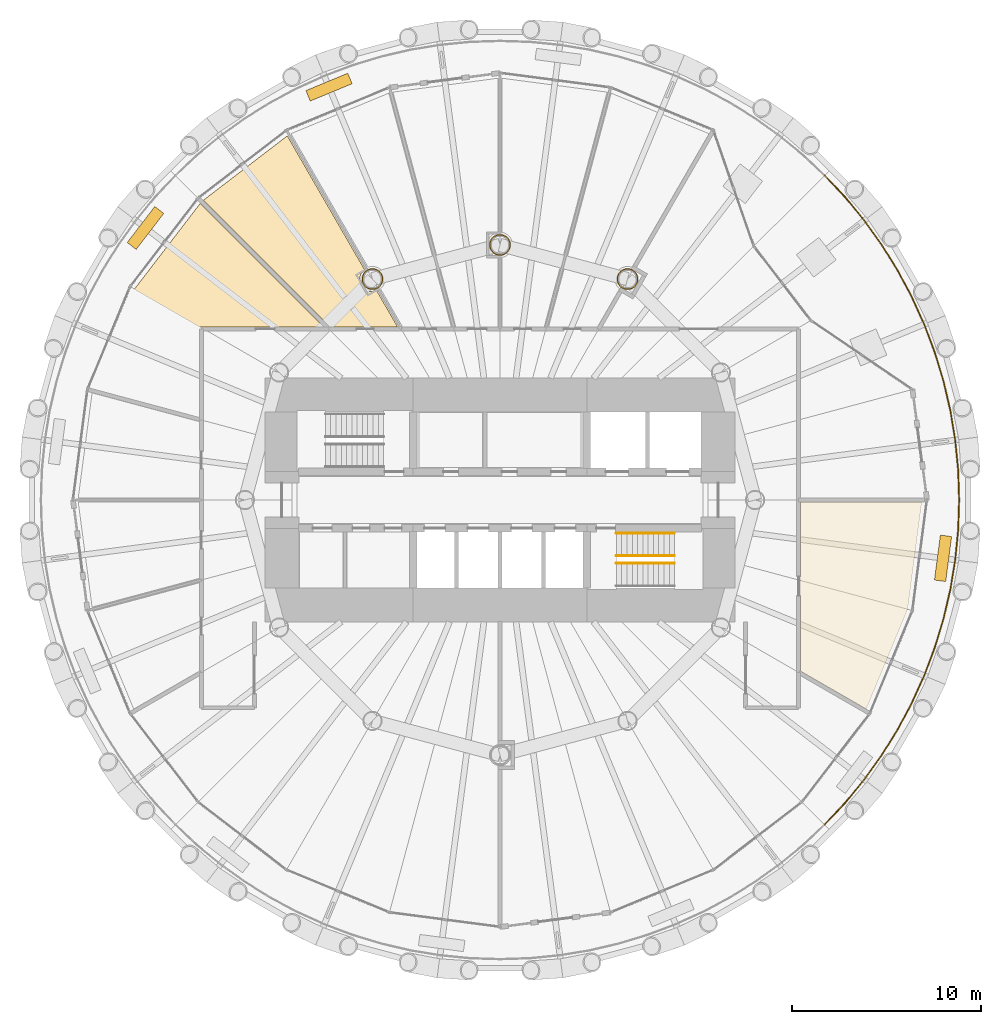
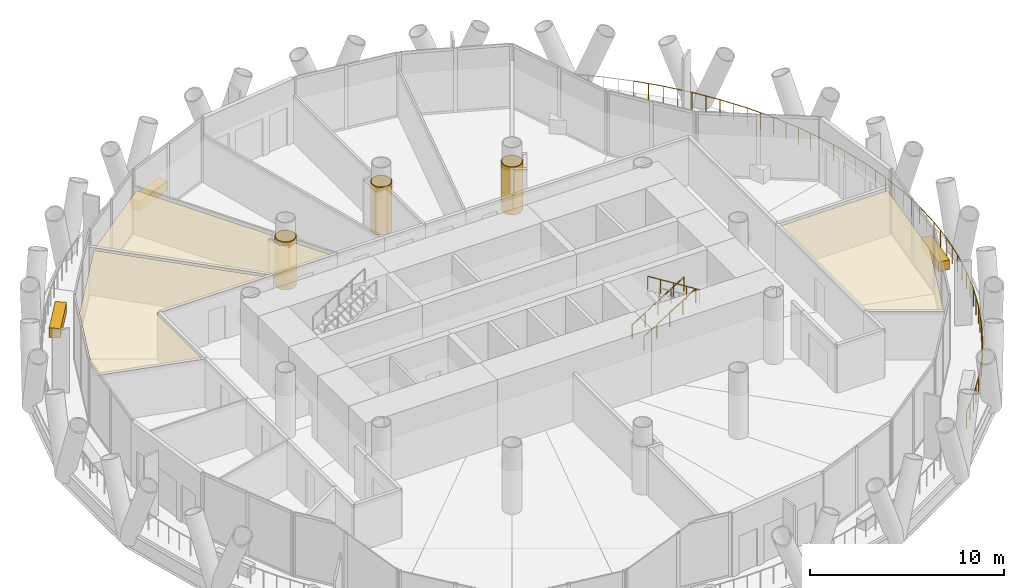
# One storey, part 15 of 16: 9 coverings, 4 railings.
"""IFC4 building model written with IfcOpenShell, lengths in metres."""

from ifc_helpers import new_model, si_unit, direction, frame, origin, origin_2d, place, context, subcontext, project, spatial, polyline, rectangle, circle, outline, extrude, material, layer, layer_set, type_object, element, save


model = new_model("IFC4")

# Units and contexts
model_context = context("Model", 3, precision=1e-05, world=origin(), true_north=direction((0.0, 1.0)))
body_context = subcontext(model_context, "Body", "Model", "MODEL_VIEW")
ifc_project = project(units=[si_unit("LENGTHUNIT", "METRE"), si_unit("AREAUNIT", "SQUARE_METRE"), si_unit("VOLUMEUNIT", "CUBIC_METRE"), si_unit("PLANEANGLEUNIT", "RADIAN"), si_unit("MASSUNIT", "GRAM", prefix="KILO")], contexts=[model_context])

# Site, building, storey
site_placement = place(None, origin())
site = spatial("IfcSite", under=ifc_project, at=site_placement, CompositionType="ELEMENT")
building_placement = place(site_placement, origin())
building = spatial("IfcBuilding", under=site, at=building_placement, Name="Qaws Media Tower", CompositionType="ELEMENT")
storey_placement = place(building_placement, frame((0.0, 0.0, 135.199951171875)))
storey = spatial("IfcBuildingStorey", under=building, at=storey_placement, Name="L30", CompositionType="ELEMENT", Elevation=135.199951171875)

# Railing
ifc_material_1 = material(Name="Stainless steel and glass guard", Category="steel")
railing_type_1 = type_object("IfcRailingType", Name="Balcony guard 1100", PredefinedType="GUARDRAIL", material=ifc_material_1)
railing_1_placement = place(storey_placement, frame((77.1826171875, 32.8173828125, 0.0)))
element("IfcRailing", 1, at=railing_1_placement, inside=storey, type_object=railing_type_1, Name="GR1 balcony guard L30-4", PredefinedType="GUARDRAIL", context=body_context, shape_type="SweptSolid", body=[
    extrude(circle(Radius=0.02392578125, at=origin_2d()), frame((0.0, 0.0, 1.076171875), z_axis=(0.683701050367, 0.729762203547, 0.0), x_axis=(-0.729762203547, 0.683701050367, 0.0)), (0.0, 0.0, 1.0), 1.590087890625),
    extrude(circle(Radius=0.02392578125, at=origin_2d()), frame((1.087158203125, 1.160400390625, 1.076171875), z_axis=(0.634382485148, 0.77301931576, 0.0), x_axis=(-0.77301931576, 0.634382485148, 0.0)), (0.0, 0.0, 1.0), 1.590087890625),
    extrude(circle(Radius=0.02392578125, at=origin_2d()), frame((2.095947265625, 2.3896484375, 1.076171875), z_axis=(0.582442870708, 0.812871639536, 0.0), x_axis=(-0.812871639536, 0.582442870708, 0.0)), (0.0, 0.0, 1.0), 1.59033203125),
    extrude(circle(Radius=0.02392578125, at=origin_2d()), frame((3.022216796875, 3.682373046875, 1.076171875), z_axis=(0.528023912354, 0.849229502539, 0.0), x_axis=(-0.849229502539, 0.528023912354, 0.0)), (0.0, 0.0, 1.0), 1.590087890625),
    extrude(circle(Radius=0.02392578125, at=origin_2d()), frame((3.86181640625, 5.03271484375, 1.076171875), z_axis=(0.471369035011, 0.881936070718, 0.0), x_axis=(-0.881936070718, 0.471369035011, 0.0)), (0.0, 0.0, 1.0), 1.590087890625),
    extrude(circle(Radius=0.02392578125, at=origin_2d()), frame((4.611328125, 6.43505859375, 1.076171875), z_axis=(0.412738339097, 0.910849638216, 0.0), x_axis=(-0.910849638216, 0.412738339097, 0.0)), (0.0, 0.0, 1.0), 1.590087890625),
    extrude(circle(Radius=0.02392578125, at=origin_2d()), frame((5.267578125, 7.88330078125, 1.076171875), z_axis=(0.352334504623, 0.935874135155, 0.0), x_axis=(-0.935874135155, 0.352334504623, 0.0)), (0.0, 0.0, 1.0), 1.59033203125),
    extrude(circle(Radius=0.02392578125, at=origin_2d()), frame((5.827880859375, 9.37158203125, 1.076171875), z_axis=(0.290177839706, 0.956972738036, 0.0), x_axis=(-0.956972738036, 0.290177839706, 0.0)), (0.0, 0.0, 1.0), 1.590087890625),
    extrude(circle(Radius=0.02392578125, at=origin_2d()), frame((6.289306640625, 10.893310546875, 1.076171875), z_axis=(0.227079151243, 0.973876305837, 0.0), x_axis=(-0.973876305837, 0.227079151243, 0.0)), (0.0, 0.0, 1.0), 1.590087890625),
    extrude(circle(Radius=0.02392578125, at=origin_2d()), frame((6.650390625, 12.44189453125, 1.076171875), z_axis=(0.162904905547, 0.986641774784, 0.0), x_axis=(-0.986641774784, 0.162904905547, 0.0)), (0.0, 0.0, 1.0), 1.590087890625),
    extrude(circle(Radius=0.02392578125, at=origin_2d()), frame((6.909423828125, 14.0107421875, 1.076171875), z_axis=(0.098105137251, 0.995176055804, 0.0), x_axis=(-0.995176055804, 0.098105137251, 0.0)), (0.0, 0.0, 1.0), 1.590087890625),
    extrude(circle(Radius=0.02392578125, at=origin_2d()), frame((7.0654296875, 15.59326171875, 1.076171875), z_axis=(0.032701394844, 0.999465166364, 0.0), x_axis=(-0.999465166364, 0.032701394844, 0.0)), (0.0, 0.0, 1.0), 1.590087890625),
    extrude(circle(Radius=0.02392578125, at=origin_2d()), frame((7.117431640625, 17.1826171875, 1.076171875), z_axis=(-0.032701394844, 0.999465166364, 0.0), x_axis=(-0.999465166364, -0.032701394844, 0.0)), (0.0, 0.0, 1.0), 1.590087890625),
    extrude(circle(Radius=0.02392578125, at=origin_2d()), frame((7.0654296875, 18.77197265625, 1.076171875), z_axis=(-0.098105137251, 0.995176055804, 0.0), x_axis=(-0.995176055804, -0.098105137251, 0.0)), (0.0, 0.0, 1.0), 1.590087890625),
    extrude(circle(Radius=0.02392578125, at=origin_2d()), frame((6.909423828125, 20.3544921875, 1.076171875), z_axis=(-0.162904905547, 0.986641774784, 0.0), x_axis=(-0.986641774784, -0.162904905547, 0.0)), (0.0, 0.0, 1.0), 1.590087890625),
    extrude(circle(Radius=0.02392578125, at=origin_2d()), frame((6.650390625, 21.92333984375, 1.076171875), z_axis=(-0.227079151243, 0.973876305837, 0.0), x_axis=(-0.973876305837, -0.227079151243, 0.0)), (0.0, 0.0, 1.0), 1.590087890625),
    extrude(circle(Radius=0.02392578125, at=origin_2d()), frame((6.289306640625, 23.471923828125, 1.076171875), z_axis=(-0.290177839706, 0.956972738036, 0.0), x_axis=(-0.956972738036, -0.290177839706, 0.0)), (0.0, 0.0, 1.0), 1.590087890625),
    extrude(circle(Radius=0.02392578125, at=origin_2d()), frame((5.827880859375, 24.99365234375, 1.076171875), z_axis=(-0.352334504623, 0.935874135155, 0.0), x_axis=(-0.935874135155, -0.352334504623, 0.0)), (0.0, 0.0, 1.0), 1.59033203125),
    extrude(circle(Radius=0.02392578125, at=origin_2d()), frame((5.267578125, 26.48193359375, 1.076171875), z_axis=(-0.412738339097, 0.910849638216, 0.0), x_axis=(-0.910849638216, -0.412738339097, 0.0)), (0.0, 0.0, 1.0), 1.590087890625),
    extrude(circle(Radius=0.02392578125, at=origin_2d()), frame((4.611328125, 27.93017578125, 1.076171875), z_axis=(-0.471369035011, 0.881936070718, 0.0), x_axis=(-0.881936070718, -0.471369035011, 0.0)), (0.0, 0.0, 1.0), 1.590087890625),
    extrude(circle(Radius=0.02392578125, at=origin_2d()), frame((3.86181640625, 29.33251953125, 1.076171875), z_axis=(-0.528023912354, 0.849229502539, 0.0), x_axis=(-0.849229502539, -0.528023912354, 0.0)), (0.0, 0.0, 1.0), 1.590087890625),
    extrude(circle(Radius=0.02392578125, at=origin_2d()), frame((3.022216796875, 30.682861328125, 1.076171875), z_axis=(-0.582442870708, 0.812871639536, 0.0), x_axis=(-0.812871639536, -0.582442870708, 0.0)), (0.0, 0.0, 1.0), 1.59033203125),
    extrude(circle(Radius=0.02392578125, at=origin_2d()), frame((2.095947265625, 31.9755859375, 1.076171875), z_axis=(-0.634382485148, 0.77301931576, 0.0), x_axis=(-0.77301931576, -0.634382485148, 0.0)), (0.0, 0.0, 1.0), 1.590087890625),
    extrude(circle(Radius=0.02392578125, at=origin_2d()), frame((1.087158203125, 33.204833984375, 1.076171875), z_axis=(-0.683701050367, 0.729762203547, 0.0), x_axis=(-0.729762203547, -0.683701050367, 0.0)), (0.0, 0.0, 1.0), 1.590087890625),
    extrude(circle(Radius=0.02099609375, at=origin_2d()), origin(), (0.0, 0.0, 1.0), 1.052001953125),
    extrude(circle(Radius=0.02099609375, at=origin_2d()), frame((0.54345703125, 0.580078125, 0.0)), (0.0, 0.0, 1.0), 1.052001953125),
    extrude(circle(Radius=0.02099609375, at=origin_2d()), frame((1.087158203125, 1.160400390625, 0.0)), (0.0, 0.0, 1.0), 1.052001953125),
    extrude(circle(Radius=0.02099609375, at=origin_2d()), frame((1.591552734375, 1.77490234375, 0.0)), (0.0, 0.0, 1.0), 1.052001953125),
    extrude(circle(Radius=0.02099609375, at=origin_2d()), frame((2.095947265625, 2.3896484375, 0.0)), (0.0, 0.0, 1.0), 1.052001953125),
    extrude(circle(Radius=0.02099609375, at=origin_2d()), frame((2.55908203125, 3.0361328125, 0.0)), (0.0, 0.0, 1.0), 1.052001953125),
    extrude(circle(Radius=0.02099609375, at=origin_2d()), frame((3.022216796875, 3.682373046875, 0.0)), (0.0, 0.0, 1.0), 1.052001953125),
    extrude(circle(Radius=0.02099609375, at=origin_2d()), frame((3.44189453125, 4.357421875, 0.0)), (0.0, 0.0, 1.0), 1.052001953125),
    extrude(circle(Radius=0.02099609375, at=origin_2d()), frame((3.86181640625, 5.03271484375, 0.0)), (0.0, 0.0, 1.0), 1.052001953125),
    extrude(circle(Radius=0.02099609375, at=origin_2d()), frame((4.236572265625, 5.73388671875, 0.0)), (0.0, 0.0, 1.0), 1.052001953125),
    extrude(circle(Radius=0.02099609375, at=origin_2d()), frame((4.611328125, 6.43505859375, 0.0)), (0.0, 0.0, 1.0), 1.052001953125),
    extrude(circle(Radius=0.02099609375, at=origin_2d()), frame((4.939453125, 7.1591796875, 0.0)), (0.0, 0.0, 1.0), 1.052001953125),
    extrude(circle(Radius=0.02099609375, at=origin_2d()), frame((5.267578125, 7.88330078125, 0.0)), (0.0, 0.0, 1.0), 1.052001953125),
    extrude(circle(Radius=0.02099609375, at=origin_2d()), frame((5.5478515625, 8.62744140625, 0.0)), (0.0, 0.0, 1.0), 1.052001953125),
    extrude(circle(Radius=0.02099609375, at=origin_2d()), frame((5.827880859375, 9.37158203125, 0.0)), (0.0, 0.0, 1.0), 1.052001953125),
    extrude(circle(Radius=0.02099609375, at=origin_2d()), frame((6.05859375, 10.13232421875, 0.0)), (0.0, 0.0, 1.0), 1.052001953125),
    extrude(circle(Radius=0.02099609375, at=origin_2d()), frame((6.289306640625, 10.893310546875, 0.0)), (0.0, 0.0, 1.0), 1.052001953125),
    extrude(circle(Radius=0.02099609375, at=origin_2d()), frame((6.4697265625, 11.66748046875, 0.0)), (0.0, 0.0, 1.0), 1.052001953125),
    extrude(circle(Radius=0.02099609375, at=origin_2d()), frame((6.650390625, 12.44189453125, 0.0)), (0.0, 0.0, 1.0), 1.052001953125),
    extrude(circle(Radius=0.02099609375, at=origin_2d()), frame((6.77978515625, 13.226318359375, 0.0)), (0.0, 0.0, 1.0), 1.052001953125),
    extrude(circle(Radius=0.02099609375, at=origin_2d()), frame((6.909423828125, 14.0107421875, 0.0)), (0.0, 0.0, 1.0), 1.052001953125),
    extrude(circle(Radius=0.02099609375, at=origin_2d()), frame((6.9873046875, 14.802001953125, 0.0)), (0.0, 0.0, 1.0), 1.052001953125),
    extrude(circle(Radius=0.02099609375, at=origin_2d()), frame((7.0654296875, 15.59326171875, 0.0)), (0.0, 0.0, 1.0), 1.052001953125),
    extrude(circle(Radius=0.02099609375, at=origin_2d()), frame((7.09130859375, 16.387939453125, 0.0)), (0.0, 0.0, 1.0), 1.052001953125),
    extrude(circle(Radius=0.02099609375, at=origin_2d()), frame((7.117431640625, 17.1826171875, 0.0)), (0.0, 0.0, 1.0), 1.052001953125),
    extrude(circle(Radius=0.02099609375, at=origin_2d()), frame((7.09130859375, 17.977294921875, 0.0)), (0.0, 0.0, 1.0), 1.052001953125),
    extrude(circle(Radius=0.02099609375, at=origin_2d()), frame((7.0654296875, 18.77197265625, 0.0)), (0.0, 0.0, 1.0), 1.052001953125),
    extrude(circle(Radius=0.02099609375, at=origin_2d()), frame((6.9873046875, 19.563232421875, 0.0)), (0.0, 0.0, 1.0), 1.052001953125),
    extrude(circle(Radius=0.02099609375, at=origin_2d()), frame((6.909423828125, 20.3544921875, 0.0)), (0.0, 0.0, 1.0), 1.052001953125),
    extrude(circle(Radius=0.02099609375, at=origin_2d()), frame((6.77978515625, 21.138916015625, 0.0)), (0.0, 0.0, 1.0), 1.052001953125),
    extrude(circle(Radius=0.02099609375, at=origin_2d()), frame((6.650390625, 21.92333984375, 0.0)), (0.0, 0.0, 1.0), 1.052001953125),
    extrude(circle(Radius=0.02099609375, at=origin_2d()), frame((6.4697265625, 22.69775390625, 0.0)), (0.0, 0.0, 1.0), 1.052001953125),
    extrude(circle(Radius=0.02099609375, at=origin_2d()), frame((6.289306640625, 23.471923828125, 0.0)), (0.0, 0.0, 1.0), 1.052001953125),
    extrude(circle(Radius=0.02099609375, at=origin_2d()), frame((6.05859375, 24.23291015625, 0.0)), (0.0, 0.0, 1.0), 1.052001953125),
    extrude(circle(Radius=0.02099609375, at=origin_2d()), frame((5.827880859375, 24.99365234375, 0.0)), (0.0, 0.0, 1.0), 1.052001953125),
    extrude(circle(Radius=0.02099609375, at=origin_2d()), frame((5.5478515625, 25.73779296875, 0.0)), (0.0, 0.0, 1.0), 1.052001953125),
    extrude(circle(Radius=0.02099609375, at=origin_2d()), frame((5.267578125, 26.48193359375, 0.0)), (0.0, 0.0, 1.0), 1.052001953125),
    extrude(circle(Radius=0.02099609375, at=origin_2d()), frame((4.939453125, 27.2060546875, 0.0)), (0.0, 0.0, 1.0), 1.052001953125),
    extrude(circle(Radius=0.02099609375, at=origin_2d()), frame((4.611328125, 27.93017578125, 0.0)), (0.0, 0.0, 1.0), 1.052001953125),
    extrude(circle(Radius=0.02099609375, at=origin_2d()), frame((4.236572265625, 28.63134765625, 0.0)), (0.0, 0.0, 1.0), 1.052001953125),
    extrude(circle(Radius=0.02099609375, at=origin_2d()), frame((3.86181640625, 29.33251953125, 0.0)), (0.0, 0.0, 1.0), 1.052001953125),
    extrude(circle(Radius=0.02099609375, at=origin_2d()), frame((3.44189453125, 30.0078125, 0.0)), (0.0, 0.0, 1.0), 1.052001953125),
    extrude(circle(Radius=0.02099609375, at=origin_2d()), frame((3.022216796875, 30.682861328125, 0.0)), (0.0, 0.0, 1.0), 1.052001953125),
    extrude(circle(Radius=0.02099609375, at=origin_2d()), frame((2.55908203125, 31.3291015625, 0.0)), (0.0, 0.0, 1.0), 1.052001953125),
    extrude(circle(Radius=0.02099609375, at=origin_2d()), frame((2.095947265625, 31.9755859375, 0.0)), (0.0, 0.0, 1.0), 1.052001953125),
    extrude(circle(Radius=0.02099609375, at=origin_2d()), frame((1.591552734375, 32.59033203125, 0.0)), (0.0, 0.0, 1.0), 1.052001953125),
    extrude(circle(Radius=0.02099609375, at=origin_2d()), frame((1.087158203125, 33.204833984375, 0.0)), (0.0, 0.0, 1.0), 1.052001953125),
    extrude(circle(Radius=0.02099609375, at=origin_2d()), frame((0.54345703125, 33.78515625, 0.0)), (0.0, 0.0, 1.0), 1.052001953125),
    extrude(circle(Radius=0.02099609375, at=origin_2d()), frame((0.0, 34.365234375, 0.0)), (0.0, 0.0, 1.0), 1.052001953125),
])

# Coverings
ifc_material_2 = material(Name="Two layers 15 fire-rated gypsum board on steel framing", Category="steel")
ifc_layer_1 = layer(ifc_material_2, 0.050048828125)
ifc_layer_set_1 = layer_set([ifc_layer_1], Name="Column fire casing")
covering_type_1 = type_object("IfcCoveringType", Name="Column fire casing", PredefinedType="CLADDING", material=ifc_layer_set_1)
covering_1_placement = place(storey_placement, origin())
element("IfcCovering", 2, at=covering_1_placement, inside=storey, type_object=covering_type_1, Name="CC1 column casing L30", PredefinedType="CLADDING", context=body_context, shape_type="SweptSolid", body=[
    extrude(outline(polyline([(67.31298828125, 61.69140625), (67.30810546875, 61.617919921875), (67.293701171875, 61.545654296875), (67.27001953125, 61.475830078125), (67.237548828125, 61.409912109375), (67.19677734375, 61.3486328125), (67.148193359375, 61.293212890625), (67.0927734375, 61.24462890625), (67.031494140625, 61.203857421875), (66.965576171875, 61.171142578125), (66.895751953125, 61.1474609375), (66.823486328125, 61.13330078125), (66.75, 61.12841796875), (66.676513671875, 61.13330078125), (66.604248046875, 61.1474609375), (66.534423828125, 61.171142578125), (66.468505859375, 61.203857421875), (66.4072265625, 61.24462890625), (66.351806640625, 61.293212890625), (66.30322265625, 61.3486328125), (66.262451171875, 61.409912109375), (66.22998046875, 61.475830078125), (66.206298828125, 61.545654296875), (66.19189453125, 61.617919921875), (66.18701171875, 61.69140625), (66.19189453125, 61.764892578125), (66.206298828125, 61.837158203125), (66.22998046875, 61.90673828125), (66.262451171875, 61.972900390625), (66.30322265625, 62.0341796875), (66.351806640625, 62.08935546875), (66.4072265625, 62.137939453125), (66.468505859375, 62.178955078125), (66.534423828125, 62.21142578125), (66.604248046875, 62.235107421875), (66.676513671875, 62.24951171875), (66.75, 62.25439453125), (66.823486328125, 62.24951171875), (66.895751953125, 62.235107421875), (66.965576171875, 62.21142578125), (67.031494140625, 62.178955078125), (67.0927734375, 62.137939453125), (67.148193359375, 62.08935546875), (67.19677734375, 62.0341796875), (67.237548828125, 61.972900390625), (67.27001953125, 61.90673828125), (67.293701171875, 61.837158203125), (67.30810546875, 61.764892578125), (67.31298828125, 61.69140625)]), holes=[polyline([(67.260986328125, 61.69140625), (67.256591796875, 61.62451171875), (67.24365234375, 61.55908203125), (67.22216796875, 61.495849609375), (67.1923828125, 61.435791015625), (67.155517578125, 61.38037109375), (67.111328125, 61.330078125), (67.06103515625, 61.285888671875), (67.005615234375, 61.248779296875), (66.945556640625, 61.21923828125), (66.88232421875, 61.19775390625), (66.816650390625, 61.184814453125), (66.75, 61.180419921875), (66.683349609375, 61.184814453125), (66.61767578125, 61.19775390625), (66.554443359375, 61.21923828125), (66.494384765625, 61.248779296875), (66.43896484375, 61.285888671875), (66.388671875, 61.330078125), (66.344482421875, 61.38037109375), (66.3076171875, 61.435791015625), (66.27783203125, 61.495849609375), (66.25634765625, 61.55908203125), (66.243408203125, 61.62451171875), (66.239013671875, 61.69140625), (66.243408203125, 61.758056640625), (66.25634765625, 61.823486328125), (66.27783203125, 61.886962890625), (66.3076171875, 61.94677734375), (66.344482421875, 62.00244140625), (66.388671875, 62.052734375), (66.43896484375, 62.0966796875), (66.494384765625, 62.1337890625), (66.554443359375, 62.163330078125), (66.61767578125, 62.184814453125), (66.683349609375, 62.197998046875), (66.75, 62.202392578125), (66.816650390625, 62.197998046875), (66.88232421875, 62.184814453125), (66.945556640625, 62.163330078125), (67.005615234375, 62.1337890625), (67.06103515625, 62.0966796875), (67.111328125, 62.052734375), (67.155517578125, 62.00244140625), (67.1923828125, 61.94677734375), (67.22216796875, 61.886962890625), (67.24365234375, 61.823486328125), (67.256591796875, 61.758056640625), (67.260986328125, 61.69140625)])]), origin(), (0.0, 0.0, 1.0), 3.02001953125),
])
covering_2_placement = place(storey_placement, origin())
element("IfcCovering", 3, at=covering_2_placement, inside=storey, type_object=covering_type_1, Name="CC1 column casing L30", PredefinedType="CLADDING", context=body_context, shape_type="SweptSolid", body=[
    extrude(outline(polyline([(60.56298828125, 63.5), (60.55810546875, 63.426513671875), (60.543701171875, 63.354248046875), (60.52001953125, 63.284423828125), (60.487548828125, 63.218505859375), (60.44677734375, 63.1572265625), (60.398193359375, 63.101806640625), (60.3427734375, 63.05322265625), (60.281494140625, 63.012451171875), (60.215576171875, 62.97998046875), (60.145751953125, 62.956298828125), (60.073486328125, 62.94189453125), (60.0, 62.93701171875), (59.926513671875, 62.94189453125), (59.854248046875, 62.956298828125), (59.784423828125, 62.97998046875), (59.718505859375, 63.012451171875), (59.6572265625, 63.05322265625), (59.601806640625, 63.101806640625), (59.55322265625, 63.1572265625), (59.512451171875, 63.218505859375), (59.47998046875, 63.284423828125), (59.456298828125, 63.354248046875), (59.44189453125, 63.426513671875), (59.43701171875, 63.5), (59.44189453125, 63.573486328125), (59.456298828125, 63.645751953125), (59.47998046875, 63.715576171875), (59.512451171875, 63.781494140625), (59.55322265625, 63.8427734375), (59.601806640625, 63.898193359375), (59.6572265625, 63.94677734375), (59.718505859375, 63.987548828125), (59.784423828125, 64.02001953125), (59.854248046875, 64.043701171875), (59.926513671875, 64.05810546875), (60.0, 64.06298828125), (60.073486328125, 64.05810546875), (60.145751953125, 64.043701171875), (60.215576171875, 64.02001953125), (60.281494140625, 63.987548828125), (60.3427734375, 63.94677734375), (60.398193359375, 63.898193359375), (60.44677734375, 63.8427734375), (60.487548828125, 63.781494140625), (60.52001953125, 63.715576171875), (60.543701171875, 63.645751953125), (60.55810546875, 63.573486328125), (60.56298828125, 63.5)]), holes=[polyline([(60.510986328125, 63.5), (60.506591796875, 63.433349609375), (60.49365234375, 63.36767578125), (60.47216796875, 63.304443359375), (60.4423828125, 63.244384765625), (60.405517578125, 63.18896484375), (60.361328125, 63.138671875), (60.31103515625, 63.094482421875), (60.255615234375, 63.0576171875), (60.195556640625, 63.02783203125), (60.13232421875, 63.00634765625), (60.066650390625, 62.993408203125), (60.0, 62.989013671875), (59.933349609375, 62.993408203125), (59.86767578125, 63.00634765625), (59.804443359375, 63.02783203125), (59.744384765625, 63.0576171875), (59.68896484375, 63.094482421875), (59.638671875, 63.138671875), (59.594482421875, 63.18896484375), (59.5576171875, 63.244384765625), (59.52783203125, 63.304443359375), (59.50634765625, 63.36767578125), (59.493408203125, 63.433349609375), (59.489013671875, 63.5), (59.493408203125, 63.566650390625), (59.50634765625, 63.63232421875), (59.52783203125, 63.695556640625), (59.5576171875, 63.755615234375), (59.594482421875, 63.81103515625), (59.638671875, 63.861328125), (59.68896484375, 63.905517578125), (59.744384765625, 63.9423828125), (59.804443359375, 63.97216796875), (59.86767578125, 63.99365234375), (59.933349609375, 64.006591796875), (60.0, 64.010986328125), (60.066650390625, 64.006591796875), (60.13232421875, 63.99365234375), (60.195556640625, 63.97216796875), (60.255615234375, 63.9423828125), (60.31103515625, 63.905517578125), (60.361328125, 63.861328125), (60.405517578125, 63.81103515625), (60.4423828125, 63.755615234375), (60.47216796875, 63.695556640625), (60.49365234375, 63.63232421875), (60.506591796875, 63.566650390625), (60.510986328125, 63.5)])]), origin(), (0.0, 0.0, 1.0), 3.02001953125),
])
covering_3_placement = place(storey_placement, origin())
element("IfcCovering", 4, at=covering_3_placement, inside=storey, type_object=covering_type_1, Name="CC1 column casing L30", PredefinedType="CLADDING", context=body_context, shape_type="SweptSolid", body=[
    extrude(outline(polyline([(53.81298828125, 61.69140625), (53.80810546875, 61.617919921875), (53.793701171875, 61.545654296875), (53.77001953125, 61.475830078125), (53.737548828125, 61.409912109375), (53.69677734375, 61.3486328125), (53.648193359375, 61.293212890625), (53.5927734375, 61.24462890625), (53.531494140625, 61.203857421875), (53.465576171875, 61.171142578125), (53.395751953125, 61.1474609375), (53.323486328125, 61.13330078125), (53.25, 61.12841796875), (53.176513671875, 61.13330078125), (53.104248046875, 61.1474609375), (53.034423828125, 61.171142578125), (52.968505859375, 61.203857421875), (52.9072265625, 61.24462890625), (52.851806640625, 61.293212890625), (52.80322265625, 61.3486328125), (52.762451171875, 61.409912109375), (52.72998046875, 61.475830078125), (52.706298828125, 61.545654296875), (52.69189453125, 61.617919921875), (52.68701171875, 61.69140625), (52.69189453125, 61.764892578125), (52.706298828125, 61.837158203125), (52.72998046875, 61.90673828125), (52.762451171875, 61.972900390625), (52.80322265625, 62.0341796875), (52.851806640625, 62.08935546875), (52.9072265625, 62.137939453125), (52.968505859375, 62.178955078125), (53.034423828125, 62.21142578125), (53.104248046875, 62.235107421875), (53.176513671875, 62.24951171875), (53.25, 62.25439453125), (53.323486328125, 62.24951171875), (53.395751953125, 62.235107421875), (53.465576171875, 62.21142578125), (53.531494140625, 62.178955078125), (53.5927734375, 62.137939453125), (53.648193359375, 62.08935546875), (53.69677734375, 62.0341796875), (53.737548828125, 61.972900390625), (53.77001953125, 61.90673828125), (53.793701171875, 61.837158203125), (53.80810546875, 61.764892578125), (53.81298828125, 61.69140625)]), holes=[polyline([(53.760986328125, 61.69140625), (53.756591796875, 61.62451171875), (53.74365234375, 61.55908203125), (53.72216796875, 61.495849609375), (53.6923828125, 61.435791015625), (53.655517578125, 61.38037109375), (53.611328125, 61.330078125), (53.56103515625, 61.285888671875), (53.505615234375, 61.248779296875), (53.445556640625, 61.21923828125), (53.38232421875, 61.19775390625), (53.316650390625, 61.184814453125), (53.25, 61.180419921875), (53.183349609375, 61.184814453125), (53.11767578125, 61.19775390625), (53.054443359375, 61.21923828125), (52.994384765625, 61.248779296875), (52.93896484375, 61.285888671875), (52.888671875, 61.330078125), (52.844482421875, 61.38037109375), (52.8076171875, 61.435791015625), (52.77783203125, 61.495849609375), (52.75634765625, 61.55908203125), (52.743408203125, 61.62451171875), (52.739013671875, 61.69140625), (52.743408203125, 61.758056640625), (52.75634765625, 61.823486328125), (52.77783203125, 61.886962890625), (52.8076171875, 61.94677734375), (52.844482421875, 62.00244140625), (52.888671875, 62.052734375), (52.93896484375, 62.0966796875), (52.994384765625, 62.1337890625), (53.054443359375, 62.163330078125), (53.11767578125, 62.184814453125), (53.183349609375, 62.197998046875), (53.25, 62.202392578125), (53.316650390625, 62.197998046875), (53.38232421875, 62.184814453125), (53.445556640625, 62.163330078125), (53.505615234375, 62.1337890625), (53.56103515625, 62.0966796875), (53.611328125, 62.052734375), (53.655517578125, 62.00244140625), (53.6923828125, 61.94677734375), (53.72216796875, 61.886962890625), (53.74365234375, 61.823486328125), (53.756591796875, 61.758056640625), (53.760986328125, 61.69140625)])]), origin(), (0.0, 0.0, 1.0), 3.02001953125),
])
ifc_material_3 = material(Name="600 x 600 mineral fibre tiles in exposed grid, suspended", Category="mineral fibre")
ifc_layer_2 = layer(ifc_material_3, 0.02001953125)
ifc_layer_set_2 = layer_set([ifc_layer_2], Name="Mineral fibre tile ceiling 20")
covering_type_2 = type_object("IfcCoveringType", Name="Mineral fibre tile ceiling 20", PredefinedType="CEILING", material=ifc_layer_set_2)
covering_4_placement = place(storey_placement, frame((0.0, 0.0, 2.85009765625)))
element("IfcCovering", 5, at=covering_4_placement, inside=storey, type_object=covering_type_2, Name="CL1 ceiling L30-07 Office", PredefinedType="CEILING", context=body_context, shape_type="SweptSolid", body=[
    extrude(outline(polyline([(48.742431640625, 69.273681640625), (52.823974609375, 62.204345703125), (52.777587890625, 62.163818359375), (52.719970703125, 62.097900390625), (52.67138671875, 62.025390625), (52.6328125, 61.947021484375), (52.604736328125, 61.8642578125), (52.587646484375, 61.778564453125), (52.58203125, 61.69140625), (52.587646484375, 61.604248046875), (52.604736328125, 61.5185546875), (52.6328125, 61.435791015625), (52.67138671875, 61.357421875), (52.719970703125, 61.28466796875), (52.777587890625, 61.218994140625), (52.84326171875, 61.161376953125), (52.916015625, 61.11279296875), (52.994384765625, 61.07421875), (53.0771484375, 61.046142578125), (53.162841796875, 61.029052734375), (53.25, 61.023193359375), (53.337158203125, 61.029052734375), (53.4228515625, 61.046142578125), (53.481201171875, 61.06591796875), (54.580078125, 59.16259765625), (50.99658203125, 59.16259765625), (44.296630859375, 65.862548828125), (48.742431640625, 69.273681640625)])), origin(), (0.0, 0.0, 1.0), 0.02001953125),
])
covering_5_placement = place(storey_placement, frame((0.0, 0.0, 2.85009765625)))
element("IfcCovering", 6, at=covering_5_placement, inside=storey, type_object=covering_type_2, Name="CL1 ceiling L30-14 Paralegal office", PredefinedType="CEILING", context=body_context, shape_type="SweptSolid", body=[
    extrude(outline(polyline([(81.57421875, 44.21923828125), (79.38623046875, 38.937255859375), (75.91259765625, 40.94287109375), (75.91259765625, 49.887451171875), (82.3203125, 49.887451171875), (81.57421875, 44.21923828125)])), origin(), (0.0, 0.0, 1.0), 0.02001953125),
])
ifc_material_4 = material(Name="Precast concrete planter with trailing planting", Category="concrete")
ifc_layer_3 = layer(ifc_material_4, 0.60009765625)
ifc_layer_set_3 = layer_set([ifc_layer_3], Name="Planter 2400x600")
covering_type_3 = type_object("IfcCoveringType", Name="Planter 2400x600", PredefinedType="USERDEFINED", material=ifc_layer_set_3)
for number, where, z_axis, x_axis, name in (
    (7, (50.949462890625, 71.849853515625, 0.0), (0.0, 0.0, 1.0), (-0.923879532511, -0.382683432365, 0.0), "PL1 balcony planter L30-04"),
    (8, (41.2373046875, 64.397216796875, 0.0), (0.0, 0.0, 1.0), (-0.608761429009, -0.793353340291, 0.0), "PL1 balcony planter L30-05"),
    (9, (83.44775390625, 46.9130859375, 0.0), (0.0, 0.0, 1.0), (0.13052619222, 0.991444861374, 0.0), "PL1 balcony planter L30-12"),
):
    element("IfcCovering", number, at=place(storey_placement, frame(where, z_axis=z_axis, x_axis=x_axis)), inside=storey, type_object=covering_type_3, Name=name, ObjectType="PLANTER", PredefinedType="USERDEFINED", context=body_context, shape_type="SweptSolid", body=[
        extrude(rectangle(XDim=2.39990234375, YDim=0.60009765625, at=origin_2d()), origin(), (0.0, 0.0, 1.0), 0.60009765625),
    ])
ifc_material_5 = material(Name="Two layers 12.5 moisture-resistant plasterboard on suspended metal furring", Category="gypsum")
ifc_layer_4 = layer(ifc_material_5, 0.02490234375)
ifc_layer_set_4 = layer_set([ifc_layer_4], Name="Plasterboard ceiling 25")
covering_type_4 = type_object("IfcCoveringType", Name="Plasterboard ceiling 25", PredefinedType="CEILING", material=ifc_layer_set_4)
covering_6_placement = place(storey_placement, frame((0.0, 0.0, 2.85009765625)))
element("IfcCovering", 10, at=covering_6_placement, inside=storey, type_object=covering_type_4, Name="CL2 ceiling L30-08 Legal library", PredefinedType="CEILING", context=body_context, shape_type="SweptSolid", body=[
    extrude(outline(polyline([(40.656982421875, 61.16748046875), (44.137451171875, 65.703369140625), (50.678466796875, 59.16259765625), (44.08740234375, 59.16259765625), (44.08740234375, 54.380126953125), (38.46923828125, 55.885498046875), (40.656982421875, 61.16748046875)])), origin(), (0.0, 0.0, 1.0), 0.02490234375),
])

# Railings
ifc_material_6 = material(Name="Steel tube handrail", Category="steel")
railing_type_2 = type_object("IfcRailingType", Name="Stair handrail 900", PredefinedType="HANDRAIL", material=ifc_material_6)
for number, where, name in (
    (11, (66.159912109375, 48.25, 0.175048828125), "HR1 handrail S2 flight 1 L30"),
    (12, (66.159912109375, 47.0400390625, 0.175048828125), "HR1 handrail S2 flight 1 L30"),
):
    element("IfcRailing", number, at=place(storey_placement, frame(where)), inside=storey, type_object=railing_type_2, Name=name, PredefinedType="HANDRAIL", context=body_context, shape_type="SweptSolid", body=[
        extrude(circle(Radius=0.02392578125, at=origin_2d()), frame((0.0, 0.0, 0.8759765625), z_axis=(0.847998304005, 0.0, 0.529998940003), x_axis=(0.0, 1.0, 0.0)), (0.0, 0.0, 1.0), 3.632080078125),
        extrude(circle(Radius=0.02099609375, at=origin_2d()), origin(), (0.0, 0.0, 1.0), 0.851806640625),
        extrude(circle(Radius=0.02099609375, at=origin_2d()), frame((0.77001953125, 0.0, 0.481201171875)), (0.0, 0.0, 1.0), 0.851806640625),
        extrude(circle(Radius=0.02099609375, at=origin_2d()), frame((1.5400390625, 0.0, 0.96240234375)), (0.0, 0.0, 1.0), 0.851806640625),
        extrude(circle(Radius=0.02099609375, at=origin_2d()), frame((2.31005859375, 0.0, 1.44384765625)), (0.0, 0.0, 1.0), 0.851806640625),
        extrude(circle(Radius=0.02099609375, at=origin_2d()), frame((3.080078125, 0.0, 1.925048828125)), (0.0, 0.0, 1.0), 0.851806640625),
    ])
railing_2_placement = place(storey_placement, frame((69.239990234375, 46.659912109375, 2.275146484375)))
element("IfcRailing", 13, at=railing_2_placement, inside=storey, type_object=railing_type_2, Name="HR1 handrail S2 flight 2 L30", PredefinedType="HANDRAIL", context=body_context, shape_type="SweptSolid", body=[
    extrude(circle(Radius=0.02392578125, at=origin_2d()), frame((0.0, 0.0, 0.8759765625), z_axis=(-0.848028513186, 0.0, 0.529950602248), x_axis=(0.0, -1.0, 0.0)), (0.0, 0.0, 1.0), 3.632080078125),
    extrude(circle(Radius=0.02099609375, at=origin_2d()), origin(), (0.0, 0.0, 1.0), 0.851806640625),
    extrude(circle(Radius=0.02099609375, at=origin_2d()), frame((-0.77001953125, 0.0, 0.481201171875)), (0.0, 0.0, 1.0), 0.851806640625),
    extrude(circle(Radius=0.02099609375, at=origin_2d()), frame((-1.5400390625, 0.0, 0.96240234375)), (0.0, 0.0, 1.0), 0.851806640625),
    extrude(circle(Radius=0.02099609375, at=origin_2d()), frame((-2.31005859375, 0.0, 1.443603515625)), (0.0, 0.0, 1.0), 0.851806640625),
    extrude(circle(Radius=0.02099609375, at=origin_2d()), frame((-3.080078125, 0.0, 1.9248046875)), (0.0, 0.0, 1.0), 0.851806640625),
])

save(model, "model.ifc")
